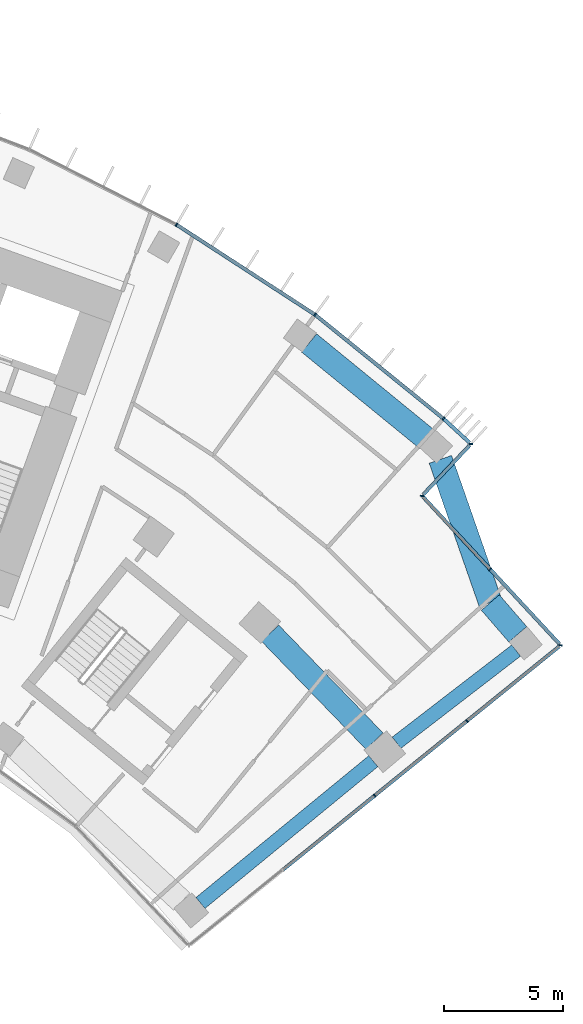
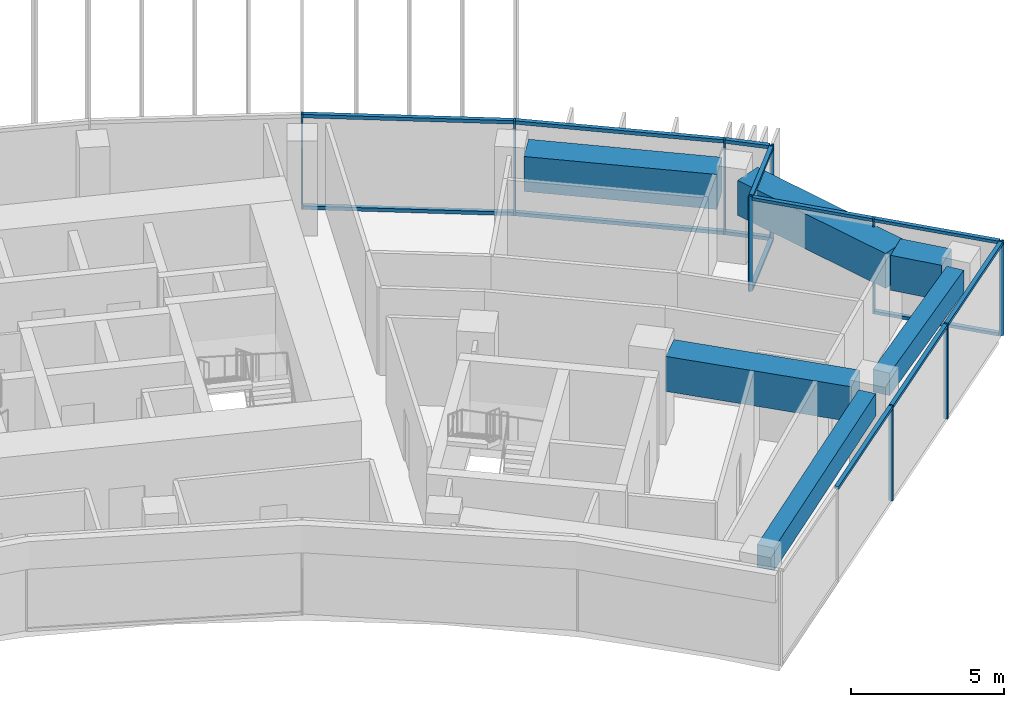
# One storey, part 10 of 23: 23 members, 6 beams, 4 elements without a shape of their own.
"""IFC4 building model written with IfcOpenShell, lengths in metres."""

import ifcopenshell
import ifcopenshell.guid

model = None  # the IFC model being written
_history = None  # IfcOwnerHistory: only IFC2X3 demands one
_inside = {}  # id of a spatial element -> (the spatial element, [elements in it])
_under = {}  # id of a project, library or spatial element -> (it, [spatial elements below it])
_declared = {}  # id of a project -> (the project, [libraries it declares])
_typed = {}  # id of a type object -> (the type object, [elements of that type])
_made_of = {}  # id of a material, layer set ... -> (it, [elements and type objects made of it])


def new_model(schema):
    """Start an empty IFC model of exactly this schema.

    Asked for "IFC4X3", IfcOpenShell would pick the latest addendum, in which some entities
    have other attributes; the version numbers below select the first issue.
    IFC2X3 requires an IfcOwnerHistory on every rooted entity: one is made here for all.
    """
    global model, _history
    if schema == "IFC4X3":
        model = ifcopenshell.file(schema_version=(4, 3, 0, 0))
    else:
        model = ifcopenshell.file(schema=schema)
    _inside.clear()
    _under.clear()
    _declared.clear()
    _typed.clear()
    _made_of.clear()
    _history = None
    if model.schema == "IFC2X3":
        org = make("IfcOrganization", Name="unknown")
        user = make(
            "IfcPersonAndOrganization",
            ThePerson=make("IfcPerson", FamilyName="unknown"),
            TheOrganization=org,
        )
        app = make(
            "IfcApplication",
            ApplicationDeveloper=org,
            Version="unknown",
            ApplicationFullName="unknown",
            ApplicationIdentifier="unknown",
        )
        _history = make(
            "IfcOwnerHistory",
            OwningUser=user,
            OwningApplication=app,
            ChangeAction="ADDED",
            CreationDate=0,
        )
    return model


def make(cls, **values):
    """One entity of the class cls with the attributes given. An attribute that is None is left unset."""
    return model.create_entity(
        cls, **{name: value for name, value in values.items() if value is not None}
    )


def rooted(cls, **values):
    """An entity with a GlobalId (a new one), such as an element, a storey or a relation."""
    return make(cls, GlobalId=ifcopenshell.guid.new(), OwnerHistory=_history, **values)


def si_unit(unit_type, name, prefix=None):
    """IfcSIUnit, for example si_unit("LENGTHUNIT", "METRE", prefix="MILLI")."""
    return make("IfcSIUnit", UnitType=unit_type, Prefix=prefix, Name=name)


def assignment(units):
    """IfcUnitAssignment: the units of a project."""
    return None if units is None else make("IfcUnitAssignment", Units=units)


def point(xyz):
    """IfcCartesianPoint."""
    return None if xyz is None else make("IfcCartesianPoint", Coordinates=xyz)


def direction(xyz):
    """IfcDirection."""
    return None if xyz is None else make("IfcDirection", DirectionRatios=xyz)


def frame(location, z_axis=None, x_axis=None):
    """IfcAxis2Placement3D, a coordinate frame: its origin and axes. An axis left out is left unset."""
    return make(
        "IfcAxis2Placement3D",
        Location=point(location),
        Axis=direction(z_axis),
        RefDirection=direction(x_axis),
    )


def frame_2d(location, x_axis=None):
    """IfcAxis2Placement2D, a coordinate frame in the plane: its origin and x axis."""
    return make(
        "IfcAxis2Placement2D", Location=point(location), RefDirection=direction(x_axis)
    )


def origin():
    """The frame at (0, 0, 0) with its axes left unset."""
    return frame((0.0, 0.0, 0.0))


def origin_2d():
    """The frame at (0, 0) in the plane with its x axis left unset."""
    return frame_2d((0.0, 0.0))


def place(relative_to, where):
    """IfcLocalPlacement: puts the frame where relative to a parent placement (None: the world)."""
    return make(
        "IfcLocalPlacement", PlacementRelTo=relative_to, RelativePlacement=where
    )


def context(
    kind, dimensions, precision=None, world=None, true_north=None, identifier=None
):
    """IfcGeometricRepresentationContext, for example the 3D "Model" context."""
    return make(
        "IfcGeometricRepresentationContext",
        ContextIdentifier=identifier,
        ContextType=kind,
        CoordinateSpaceDimension=dimensions,
        Precision=precision,
        WorldCoordinateSystem=world,
        TrueNorth=true_north,
    )


def subcontext(parent, identifier, kind, view, scale=None):
    """IfcGeometricRepresentationSubContext, for example "Body" below "Model"."""
    return make(
        "IfcGeometricRepresentationSubContext",
        ContextIdentifier=identifier,
        ContextType=kind,
        ParentContext=parent,
        TargetScale=scale,
        TargetView=view,
    )


def project(units=None, contexts=None):
    """IfcProject with its units and contexts."""
    return rooted(
        "IfcProject",
        Name="project",
        RepresentationContexts=contexts,
        UnitsInContext=assignment(units),
    )


def spatial(cls, under=None, at=None, **own):
    """A site, building, storey or space (cls), placed at a placement, below another one or the project."""
    s = rooted(cls, ObjectPlacement=at, **own)
    if under is not None:
        _under.setdefault(under.id(), (under, []))[1].append(s)
    return s


def profile(cls, at=None, kind="AREA", **sizes):
    """A parametric profile (cls). Its sizes go by their IFC names, for example OverallWidth=200.0."""
    return make(cls, ProfileType=kind, Position=at, **sizes)


def rectangle(**sizes):
    """IfcRectangleProfileDef."""
    return profile("IfcRectangleProfileDef", **sizes)


def extrude(swept, where, along, depth):
    """IfcExtrudedAreaSolid: the profile swept, set in the frame where, extruded along a direction by depth."""
    return make(
        "IfcExtrudedAreaSolid",
        SweptArea=swept,
        Position=where,
        ExtrudedDirection=direction(along),
        Depth=depth,
    )


def shape(context_of_items, identifier, shape_type, items):
    """IfcShapeRepresentation: the items that make up one representation, for example the "Body"."""
    return make(
        "IfcShapeRepresentation",
        ContextOfItems=context_of_items,
        RepresentationIdentifier=identifier,
        RepresentationType=shape_type,
        Items=items,
    )


def material(Name=None, Category=None):
    """IfcMaterial."""
    return make("IfcMaterial", Name=Name, Category=Category)


def layer(
    of_material, thickness, ventilated=None, Name=None, Category=None, Priority=None
):
    """IfcMaterialLayer: one layer of a wall or slab, of a material (None: an air gap)."""
    return make(
        "IfcMaterialLayer",
        Material=of_material,
        LayerThickness=thickness,
        IsVentilated=ventilated,
        Name=Name,
        Category=Category,
        Priority=Priority,
    )


def layer_set(layers, Name=None):
    """IfcMaterialLayerSet."""
    return make("IfcMaterialLayerSet", MaterialLayers=layers, LayerSetName=Name)


def material_profile(
    of_material, cross_section, Name=None, Category=None, Priority=None
):
    """IfcMaterialProfile: a cross section and its material."""
    return make(
        "IfcMaterialProfile",
        Name=Name,
        Material=of_material,
        Profile=cross_section,
        Priority=Priority,
        Category=Category,
    )


def profile_set(profiles, Name=None, composite=None):
    """IfcMaterialProfileSet."""
    return make(
        "IfcMaterialProfileSet",
        Name=Name,
        MaterialProfiles=profiles,
        CompositeProfile=composite,
    )


def made_of(thing, what):
    """Note that an element or type object is made of a material, layer set ...; save() writes the relation."""
    if what is not None:
        _made_of.setdefault(what.id(), (what, []))[1].append(thing)
    return thing


def type_object(cls, material=None, **own):
    """A type object (cls), such as IfcWallType, which elements share."""
    return made_of(rooted(cls, **own), material)


def element(
    cls,
    number,
    at=None,
    inside=None,
    cuts=None,
    type_object=None,
    material=None,
    context=None,
    identifier="Body",
    shape_type=None,
    held_by="IfcProductDefinitionShape",
    body=None,
    shapes=None,
    **own,
):
    """One element of the class cls, such as IfcWall. Its Tag is "e" and its number.

    at: its placement. inside: the storey or other place that contains it. cuts: it is an
    opening in that element (IfcRelVoidsElement). A single representation is given by context,
    identifier, shape_type and body (its items); several are given by shapes. held_by: the class
    of the entity that holds the representations. save() writes the other relations.
    """
    e = rooted(cls, Tag="e%d" % number, ObjectPlacement=at, **own)
    if body is not None:
        shapes = [shape(context, identifier, shape_type, body)]
    if shapes is not None:
        e.Representation = make(held_by, Representations=shapes)
    if inside is not None:
        _inside.setdefault(inside.id(), (inside, []))[1].append(e)
    if cuts is not None:
        rooted(
            "IfcRelVoidsElement", RelatingBuildingElement=cuts, RelatedOpeningElement=e
        )
    if type_object is not None:
        _typed.setdefault(type_object.id(), (type_object, []))[1].append(e)
    return made_of(e, material)


def aggregate(whole, parts):
    """IfcRelAggregates: a whole, such as a stair, and the parts it consists of."""
    return rooted("IfcRelAggregates", RelatingObject=whole, RelatedObjects=parts)


def save(model, path):
    """Write the relations noted so far, then the file.

    IfcRelAggregates (storeys below a building ...), IfcRelContainedInSpatialStructure (elements
    in a storey), IfcRelDefinesByType, IfcRelAssociatesMaterial and IfcRelDeclares: one each for
    every whole, place, type object, material and project.
    """
    for whole, parts in _under.values():
        aggregate(whole, parts)
    for where, things in _inside.values():
        rooted(
            "IfcRelContainedInSpatialStructure",
            RelatedElements=things,
            RelatingStructure=where,
        )
    for kind, things in _typed.values():
        rooted("IfcRelDefinesByType", RelatedObjects=things, RelatingType=kind)
    for what, things in _made_of.values():
        rooted("IfcRelAssociatesMaterial", RelatedObjects=things, RelatingMaterial=what)
    for by, libraries in _declared.values():
        rooted("IfcRelDeclares", RelatingContext=by, RelatedDefinitions=libraries)
    model.write(path)


model = new_model("IFC4")

# Units and contexts
model_context = context("Model", 3, precision=1e-05, world=origin(), true_north=direction((0.0, 1.0)))
body_context = subcontext(model_context, "Body", "Model", "MODEL_VIEW")
ifc_project = project(units=[si_unit("LENGTHUNIT", "METRE"), si_unit("AREAUNIT", "SQUARE_METRE"), si_unit("VOLUMEUNIT", "CUBIC_METRE"), si_unit("PLANEANGLEUNIT", "RADIAN"), si_unit("MASSUNIT", "GRAM", prefix="KILO")], contexts=[model_context])

# Site, building, storey
site_placement = place(None, origin())
site = spatial("IfcSite", under=ifc_project, at=site_placement, CompositionType="ELEMENT")
building_placement = place(site_placement, origin())
building = spatial("IfcBuilding", under=site, at=building_placement, Name="Stone Belt Terrace Tower", CompositionType="ELEMENT")
storey_placement = place(building_placement, frame((0.0, 0.0, 166.800048828125)))
storey = spatial("IfcBuildingStorey", under=building, at=storey_placement, Name="L40", CompositionType="ELEMENT", Elevation=166.800048828125)

# Curtain wall, members
ifc_material_1 = material(Name="Aluminium 6063-T6 anodised frame", Category="aluminium")
ifc_layer_1 = layer(ifc_material_1, 0.14990234375)
ifc_layer_set_1 = layer_set([ifc_layer_1], Name="CW-A unitised convex-face curtain wall")
curtain_wall_type_1 = type_object("IfcCurtainWallType", Name="CW-A unitised convex-face curtain wall", PredefinedType="NOTDEFINED", material=ifc_layer_set_1)
curtain_wall_1_placement = place(storey_placement, origin())
curtain_wall_1 = element("IfcCurtainWall", 1, at=curtain_wall_1_placement, inside=storey, type_object=curtain_wall_type_1, Name="CW-A convex face L40", PredefinedType="NOTDEFINED")
ifc_material_profile_1 = material_profile(ifc_material_1, rectangle(XDim=0.14990234375, YDim=0.06005859375, at=origin_2d()), Name="Aluminium 6063-T6 60x150")
ifc_profile_set_1 = profile_set([ifc_material_profile_1], Name="Aluminium 6063-T6 anodised frame")
member_type_1 = type_object("IfcMemberType", Name="CW-A mullion 60 x 150", PredefinedType="MULLION", material=ifc_profile_set_1)
member_1_placement = place(storey_placement, frame((45.705810546875, 48.40771484375, 0.0), z_axis=(0.0, 0.0, 1.0), x_axis=(-0.999371341174, -0.035453101983, 0.0)))
member_1 = element("IfcMember", 2, at=member_1_placement, type_object=member_type_1, Name="CW-A mullion 1", PredefinedType="MULLION", context=body_context, shape_type="SweptSolid", body=[
    extrude(rectangle(XDim=0.14990234375, YDim=0.06005859375, at=origin_2d()), origin(), (0.0, 0.0, 1.0), 3.800048828125),
])
member_2_placement = place(storey_placement, frame((44.546142578125, 49.475830078125, 0.0), z_axis=(0.0, 0.0, 1.0), x_axis=(-0.653721175671, -0.756735504968, 0.0)))
member_2 = element("IfcMember", 3, at=member_2_placement, type_object=member_type_1, Name="CW-A mullion 2", PredefinedType="MULLION", context=body_context, shape_type="SweptSolid", body=[
    extrude(rectangle(XDim=0.14990234375, YDim=0.06005859375, at=origin_2d()), origin(), (0.0, 0.0, 1.0), 3.800048828125),
])
member_3_placement = place(storey_placement, frame((39.1318359375, 53.8603515625, 0.0), z_axis=(0.0, 0.0, 1.0), x_axis=(-0.587785252292, -0.809016994375, 0.0)))
member_3 = element("IfcMember", 4, at=member_3_placement, type_object=member_type_1, Name="CW-A mullion 3", PredefinedType="MULLION", context=body_context, shape_type="SweptSolid", body=[
    extrude(rectangle(XDim=0.14990234375, YDim=0.06005859375, at=origin_2d()), origin(), (0.0, 0.0, 1.0), 3.800048828125),
])
member_4_placement = place(storey_placement, frame((33.28759765625, 57.65576171875, 0.0), z_axis=(0.0, 0.0, 1.0), x_axis=(-0.5, -0.866025403784, 0.0)))
member_4 = element("IfcMember", 5, at=member_4_placement, type_object=member_type_1, Name="CW-A mullion 4", PredefinedType="MULLION", context=body_context, shape_type="SweptSolid", body=[
    extrude(rectangle(XDim=0.14990234375, YDim=0.06005859375, at=origin_2d()), origin(), (0.0, 0.0, 1.0), 3.800048828125),
])
ifc_material_profile_2 = material_profile(ifc_material_1, rectangle(XDim=0.14990234375, YDim=0.139892578125, at=origin_2d()), Name="Aluminium 6063-T6 150x140")
ifc_profile_set_2 = profile_set([ifc_material_profile_2], Name="Aluminium 6063-T6 anodised frame")
member_type_2 = type_object("IfcMemberType", Name="CW-A transom 140 x 150", PredefinedType="USERDEFINED", material=ifc_profile_set_2)
member_5_placement = place(storey_placement, frame((45.651123046875, 48.458251953125, 0.070068359375), z_axis=(-0.735497183458, 0.677527780335, 0.0), x_axis=(-0.677527780335, -0.735497183458, 0.0)))
member_5 = element("IfcMember", 6, at=member_5_placement, type_object=member_type_2, Name="CW-A transom 1.1", ObjectType="TRANSOM", PredefinedType="USERDEFINED", context=body_context, shape_type="SweptSolid", body=[
    extrude(rectangle(XDim=0.14990234375, YDim=0.139892578125, at=origin_2d()), origin(), (0.0, 0.0, 1.0), 1.4697265625),
])
member_6_placement = place(storey_placement, frame((45.651123046875, 48.458251953125, 3.72998046875), z_axis=(-0.735497183458, 0.677527780335, 0.0), x_axis=(-0.677527780335, -0.735497183458, 0.0)))
member_6 = element("IfcMember", 7, at=member_6_placement, type_object=member_type_2, Name="CW-A transom 1.2", ObjectType="TRANSOM", PredefinedType="USERDEFINED", context=body_context, shape_type="SweptSolid", body=[
    extrude(rectangle(XDim=0.14990234375, YDim=0.139892578125, at=origin_2d()), origin(), (0.0, 0.0, 1.0), 1.4697265625),
])
member_7_placement = place(storey_placement, frame((44.52099609375, 49.496337890625, 0.070068359375), z_axis=(-0.777141048626, 0.629326457842, 0.0), x_axis=(-0.629326457842, -0.777141048626, 0.0)))
member_7 = element("IfcMember", 8, at=member_7_placement, type_object=member_type_2, Name="CW-A transom 2.1", ObjectType="TRANSOM", PredefinedType="USERDEFINED", context=body_context, shape_type="SweptSolid", body=[
    extrude(rectangle(XDim=0.14990234375, YDim=0.139892578125, at=origin_2d()), origin(), (0.0, 0.0, 1.0), 6.900634765625),
])
member_8_placement = place(storey_placement, frame((44.52099609375, 49.496337890625, 3.72998046875), z_axis=(-0.777141048626, 0.629326457842, 0.0), x_axis=(-0.629326457842, -0.777141048626, 0.0)))
member_8 = element("IfcMember", 9, at=member_8_placement, type_object=member_type_2, Name="CW-A transom 2.2", ObjectType="TRANSOM", PredefinedType="USERDEFINED", context=body_context, shape_type="SweptSolid", body=[
    extrude(rectangle(XDim=0.14990234375, YDim=0.139892578125, at=origin_2d()), origin(), (0.0, 0.0, 1.0), 6.900634765625),
])
member_9_placement = place(storey_placement, frame((39.103515625, 53.87890625, 0.070068359375), z_axis=(-0.83868440714, 0.544617723931, 0.0), x_axis=(-0.544617723931, -0.83868440714, 0.0)))
member_9 = element("IfcMember", 10, at=member_9_placement, type_object=member_type_2, Name="CW-A transom 3.1", ObjectType="TRANSOM", PredefinedType="USERDEFINED", context=body_context, shape_type="SweptSolid", body=[
    extrude(rectangle(XDim=0.14990234375, YDim=0.139892578125, at=origin_2d()), origin(), (0.0, 0.0, 1.0), 6.90087890625),
])
member_10_placement = place(storey_placement, frame((39.103515625, 53.87890625, 3.72998046875), z_axis=(-0.83868440714, 0.544617723931, 0.0), x_axis=(-0.544617723931, -0.83868440714, 0.0)))
member_10 = element("IfcMember", 11, at=member_10_placement, type_object=member_type_2, Name="CW-A transom 3.2", ObjectType="TRANSOM", PredefinedType="USERDEFINED", context=body_context, shape_type="SweptSolid", body=[
    extrude(rectangle(XDim=0.14990234375, YDim=0.139892578125, at=origin_2d()), origin(), (0.0, 0.0, 1.0), 6.90087890625),
])
aggregate(curtain_wall_1, [member_1, member_2, member_3, member_4, member_5, member_6, member_7, member_8, member_9, member_10])

ifc_layer_2 = layer(ifc_material_1, 0.14990234375)
ifc_layer_set_2 = layer_set([ifc_layer_2], Name="CW-C stick curtain wall, horn ends and notches")
curtain_wall_type_2 = type_object("IfcCurtainWallType", Name="CW-C stick curtain wall, horn ends and notches", PredefinedType="NOTDEFINED", material=ifc_layer_set_2)
curtain_wall_2_placement = place(storey_placement, origin())
curtain_wall_2 = element("IfcCurtainWall", 12, at=curtain_wall_2_placement, inside=storey, type_object=curtain_wall_type_2, Name="CW-C end face L40", PredefinedType="NOTDEFINED")
ifc_material_profile_3 = material_profile(ifc_material_1, rectangle(XDim=0.14990234375, YDim=0.06005859375, at=origin_2d()), Name="Aluminium 6063-T6 60x150")
ifc_profile_set_3 = profile_set([ifc_material_profile_3], Name="Aluminium 6063-T6 anodised frame")
member_type_3 = type_object("IfcMemberType", Name="CW-C mullion 60 x 150", PredefinedType="MULLION", material=ifc_profile_set_3)
member_11_placement = place(storey_placement, frame((41.651123046875, 33.577392578125, 0.0), z_axis=(0.0, 0.0, 1.0), x_axis=(-0.628705337721, 0.777643619096, 0.0)))
member_11 = element("IfcMember", 13, at=member_11_placement, type_object=member_type_3, Name="CW-C mullion 3", PredefinedType="MULLION", context=body_context, shape_type="SweptSolid", body=[
    extrude(rectangle(XDim=0.14990234375, YDim=0.06005859375, at=origin_2d()), origin(), (0.0, 0.0, 1.0), 3.800048828125),
])
member_12_placement = place(storey_placement, frame((45.539306640625, 36.720947265625, 0.0), z_axis=(0.0, 0.0, 1.0), x_axis=(-0.628705337721, 0.777643619096, 0.0)))
member_12 = element("IfcMember", 14, at=member_12_placement, type_object=member_type_3, Name="CW-C mullion 4", PredefinedType="MULLION", context=body_context, shape_type="SweptSolid", body=[
    extrude(rectangle(XDim=0.14990234375, YDim=0.06005859375, at=origin_2d()), origin(), (0.0, 0.0, 1.0), 3.800048828125),
])

curtain_wall_3_placement = place(storey_placement, origin())
curtain_wall_3 = element("IfcCurtainWall", 15, at=curtain_wall_3_placement, inside=storey, type_object=curtain_wall_type_2, Name="CW-C notch face L40", PredefinedType="NOTDEFINED")
member_13_placement = place(storey_placement, frame((49.489990234375, 39.9150390625, 0.0), z_axis=(0.0, 0.0, 1.0), x_axis=(-0.997432350624, 0.07161498397, 0.0)))
member_13 = element("IfcMember", 16, at=member_13_placement, type_object=member_type_3, Name="CW-C mullion 1", PredefinedType="MULLION", context=body_context, shape_type="SweptSolid", body=[
    extrude(rectangle(XDim=0.14990234375, YDim=0.06005859375, at=origin_2d()), origin(), (0.0, 0.0, 1.0), 3.800048828125),
])
member_14_placement = place(storey_placement, frame((46.516357421875, 43.12255859375, 0.0), z_axis=(0.0, 0.0, 1.0), x_axis=(-0.733352329176, -0.679848778253, 0.0)))
member_14 = element("IfcMember", 17, at=member_14_placement, type_object=member_type_3, Name="CW-C mullion 2", PredefinedType="MULLION", context=body_context, shape_type="SweptSolid", body=[
    extrude(rectangle(XDim=0.14990234375, YDim=0.06005859375, at=origin_2d()), origin(), (0.0, 0.0, 1.0), 3.800048828125),
])

# Curtain wall, member
curtain_wall_4_placement = place(storey_placement, origin())
curtain_wall_4 = element("IfcCurtainWall", 18, at=curtain_wall_4_placement, inside=storey, type_object=curtain_wall_type_2, Name="CW-C notch face L40", PredefinedType="NOTDEFINED")
member_15_placement = place(storey_placement, frame((43.644775390625, 46.219970703125, 0.0), z_axis=(0.0, 0.0, 1.0), x_axis=(-0.999991971313, 0.004007157395, 0.0)))
member_15 = element("IfcMember", 19, at=member_15_placement, type_object=member_type_3, Name="CW-C mullion 1", PredefinedType="MULLION", context=body_context, shape_type="SweptSolid", body=[
    extrude(rectangle(XDim=0.14990234375, YDim=0.06005859375, at=origin_2d()), origin(), (0.0, 0.0, 1.0), 3.800048828125),
])

# Member
ifc_material_profile_4 = material_profile(ifc_material_1, rectangle(XDim=0.14990234375, YDim=0.1201171875, at=origin_2d()), Name="Aluminium 6063-T6 150x120")
ifc_profile_set_4 = profile_set([ifc_material_profile_4], Name="Aluminium 6063-T6 anodised frame")
member_type_4 = type_object("IfcMemberType", Name="CW-C transom 120 x 150", PredefinedType="USERDEFINED", material=ifc_profile_set_4)
member_16_placement = place(storey_placement, frame((37.7861328125, 30.45263671875, 3.739990234375), z_axis=(0.777627970578, 0.628724692831, 0.0), x_axis=(-0.628724692831, 0.777627970578, 0.0)))
member_16 = element("IfcMember", 20, at=member_16_placement, type_object=member_type_4, Name="CW-C transom 2.1", ObjectType="TRANSOM", PredefinedType="USERDEFINED", context=body_context, shape_type="SweptSolid", body=[
    extrude(rectangle(XDim=0.14990234375, YDim=0.1201171875, at=origin_2d()), origin(), (0.0, 0.0, 1.0), 4.940185546875),
])

member_17_placement = place(storey_placement, frame((41.67431640625, 33.59619140625, 3.739990234375), z_axis=(0.777627970578, 0.628724692831, 0.0), x_axis=(-0.628724692831, 0.777627970578, 0.0)))
member_17 = element("IfcMember", 21, at=member_17_placement, type_object=member_type_4, Name="CW-C transom 3.1", ObjectType="TRANSOM", PredefinedType="USERDEFINED", context=body_context, shape_type="SweptSolid", body=[
    extrude(rectangle(XDim=0.14990234375, YDim=0.1201171875, at=origin_2d()), origin(), (0.0, 0.0, 1.0), 4.940185546875),
])

member_18_placement = place(storey_placement, frame((45.562744140625, 36.73974609375, 3.739990234375), z_axis=(0.777621859121, 0.628732251613, 0.0), x_axis=(-0.628732251613, 0.777621859121, 0.0)))
member_18 = element("IfcMember", 22, at=member_18_placement, type_object=member_type_4, Name="CW-C transom 4.1", ObjectType="TRANSOM", PredefinedType="USERDEFINED", context=body_context, shape_type="SweptSolid", body=[
    extrude(rectangle(XDim=0.14990234375, YDim=0.1201171875, at=origin_2d()), origin(), (0.0, 0.0, 1.0), 4.97509765625),
])

aggregate(curtain_wall_2, [member_11, member_12, member_16, member_17, member_18])

member_19_placement = place(storey_placement, frame((49.438720703125, 39.97021484375, 0.06005859375), z_axis=(-0.67986295922, 0.733339182562, 0.0), x_axis=(-0.733339182562, -0.67986295922, 0.0)))
member_19 = element("IfcMember", 23, at=member_19_placement, type_object=member_type_4, Name="CW-C transom 1.1", ObjectType="TRANSOM", PredefinedType="USERDEFINED", context=body_context, shape_type="SweptSolid", body=[
    extrude(rectangle(XDim=0.14990234375, YDim=0.1201171875, at=origin_2d()), origin(), (0.0, 0.0, 1.0), 4.2685546875),
])

member_20_placement = place(storey_placement, frame((49.438720703125, 39.97021484375, 3.739990234375), z_axis=(-0.67986295922, 0.733339182562, 0.0), x_axis=(-0.733339182562, -0.67986295922, 0.0)))
member_20 = element("IfcMember", 24, at=member_20_placement, type_object=member_type_4, Name="CW-C transom 1.2", ObjectType="TRANSOM", PredefinedType="USERDEFINED", context=body_context, shape_type="SweptSolid", body=[
    extrude(rectangle(XDim=0.14990234375, YDim=0.1201171875, at=origin_2d()), origin(), (0.0, 0.0, 1.0), 4.2685546875),
])

member_21_placement = place(storey_placement, frame((46.495849609375, 43.14453125, 3.739990234375), z_axis=(-0.67984861733, 0.733352478359, 0.0), x_axis=(-0.733352478359, -0.67984861733, 0.0)))
member_21 = element("IfcMember", 25, at=member_21_placement, type_object=member_type_4, Name="CW-C transom 2.1", ObjectType="TRANSOM", PredefinedType="USERDEFINED", context=body_context, shape_type="SweptSolid", body=[
    extrude(rectangle(XDim=0.14990234375, YDim=0.1201171875, at=origin_2d()), origin(), (0.0, 0.0, 1.0), 4.120361328125),
])

aggregate(curtain_wall_3, [member_13, member_14, member_19, member_20, member_21])

member_22_placement = place(storey_placement, frame((43.695068359375, 46.273193359375, 0.06005859375), z_axis=(0.685649738624, 0.727931614869, 0.0), x_axis=(-0.727931614869, 0.685649738624, 0.0)))
member_22 = element("IfcMember", 26, at=member_22_placement, type_object=member_type_4, Name="CW-C transom 1.1", ObjectType="TRANSOM", PredefinedType="USERDEFINED", context=body_context, shape_type="SweptSolid", body=[
    extrude(rectangle(XDim=0.14990234375, YDim=0.1201171875, at=origin_2d()), origin(), (0.0, 0.0, 1.0), 2.858154296875),
])

member_23_placement = place(storey_placement, frame((43.695068359375, 46.273193359375, 3.739990234375), z_axis=(0.685649738624, 0.727931614869, 0.0), x_axis=(-0.727931614869, 0.685649738624, 0.0)))
member_23 = element("IfcMember", 27, at=member_23_placement, type_object=member_type_4, Name="CW-C transom 1.2", ObjectType="TRANSOM", PredefinedType="USERDEFINED", context=body_context, shape_type="SweptSolid", body=[
    extrude(rectangle(XDim=0.14990234375, YDim=0.1201171875, at=origin_2d()), origin(), (0.0, 0.0, 1.0), 2.858154296875),
])

aggregate(curtain_wall_4, [member_15, member_22, member_23])

# Beams
ifc_material_2 = material(Name="Concrete B60", Category="concrete")
ifc_material_profile_5 = material_profile(ifc_material_2, rectangle(XDim=0.60009765625, YDim=0.89990234375, at=origin_2d()), Name="RC 600x900")
ifc_profile_set_5 = profile_set([ifc_material_profile_5], Name="Concrete B60")
beam_type_1 = type_object("IfcBeamType", Name="Edge beam RC 600x900 B60", PredefinedType="SPANDREL", material=ifc_profile_set_5)
beam_1_placement = place(storey_placement, frame((34.298583984375, 29.045654296875, 3.030029296875), z_axis=(0.773152783666, 0.634219814505, 0.0), x_axis=(-0.634219814505, 0.773152783666, 0.0)))
element("IfcBeam", 28, at=beam_1_placement, inside=storey, type_object=beam_type_1, Name="Edge beam L40 B P to Q", PredefinedType="SPANDREL", context=body_context, shape_type="SweptSolid", body=[
    extrude(rectangle(XDim=0.60009765625, YDim=0.89990234375, at=origin_2d()), origin(), (0.0, 0.0, 1.0), 9.43115234375),
])
beam_2_placement = place(storey_placement, frame((42.569091796875, 35.80517578125, 3.030029296875), z_axis=(0.792093595683, 0.610399652423, 0.0), x_axis=(-0.610399652423, 0.792093595683, 0.0)))
element("IfcBeam", 29, at=beam_2_placement, inside=storey, type_object=beam_type_1, Name="Edge beam L40 B Q to R", PredefinedType="SPANDREL", context=body_context, shape_type="SweptSolid", body=[
    extrude(rectangle(XDim=0.60009765625, YDim=0.89990234375, at=origin_2d()), origin(), (0.0, 0.0, 1.0), 6.369140625),
])
ifc_material_3 = material(Name="Concrete B80", Category="concrete")
ifc_material_profile_6 = material_profile(ifc_material_3, rectangle(XDim=1.0, YDim=1.39990234375, at=origin_2d()), Name="RC 1000x1400")
ifc_profile_set_6 = profile_set([ifc_material_profile_6], Name="Concrete B80")
beam_type_2 = type_object("IfcBeamType", Name="Transfer beam RC 1000x1400 B80", PredefinedType="BEAM", material=ifc_profile_set_6)
beam_3_placement = place(storey_placement, frame((37.23779296875, 40.422607421875, 2.780029296875), z_axis=(0.695262689654, -0.718755725108, 0.0), x_axis=(0.718755725108, 0.695262689654, 0.0)))
element("IfcBeam", 30, at=beam_3_placement, inside=storey, type_object=beam_type_2, Name="Transfer beam L40 QQ29-QB", PredefinedType="BEAM", context=body_context, shape_type="SweptSolid", body=[
    extrude(rectangle(XDim=1.0, YDim=1.39990234375, at=origin_2d()), origin(), (0.0, 0.0, 1.0), 6.328857421875),
])
beam_4_placement = place(storey_placement, frame((44.418701171875, 47.758056640625, 2.780029296875), z_axis=(0.329158514337, -0.944274680609, 0.0), x_axis=(0.944274680609, 0.329158514337, 0.0)))
element("IfcBeam", 31, at=beam_4_placement, inside=storey, type_object=beam_type_2, Name="Transfer beam L40 RRNB-RB", PredefinedType="BEAM", context=body_context, shape_type="SweptSolid", body=[
    extrude(rectangle(XDim=1.0, YDim=1.39990234375, at=origin_2d()), origin(), (0.0, 0.0, 1.0), 6.397216796875),
])
beam_5_placement = place(storey_placement, frame((46.5244140625, 41.71728515625, 2.780029296875), z_axis=(0.653996416375, -0.756497645316, 0.0), x_axis=(0.756497645316, 0.653996416375, 0.0)))
element("IfcBeam", 32, at=beam_5_placement, inside=storey, type_object=beam_type_2, Name="Transfer beam L40 RRB-RB", PredefinedType="BEAM", context=body_context, shape_type="SweptSolid", body=[
    extrude(rectangle(XDim=1.0, YDim=1.39990234375, at=origin_2d()), origin(), (0.0, 0.0, 1.0), 1.77197265625),
])
beam_6_placement = place(storey_placement, frame((38.881103515625, 52.664794921875, 2.780029296875), z_axis=(0.774479861597, -0.632598564637, 0.0), x_axis=(0.632598564637, 0.774479861597, 0.0)))
element("IfcBeam", 33, at=beam_6_placement, inside=storey, type_object=beam_type_2, Name="Transfer beam L40 RR28-RNB", PredefinedType="BEAM", context=body_context, shape_type="SweptSolid", body=[
    extrude(rectangle(XDim=1.0, YDim=1.39990234375, at=origin_2d()), origin(), (0.0, 0.0, 1.0), 6.407958984375),
])

save(model, "model.ifc")
